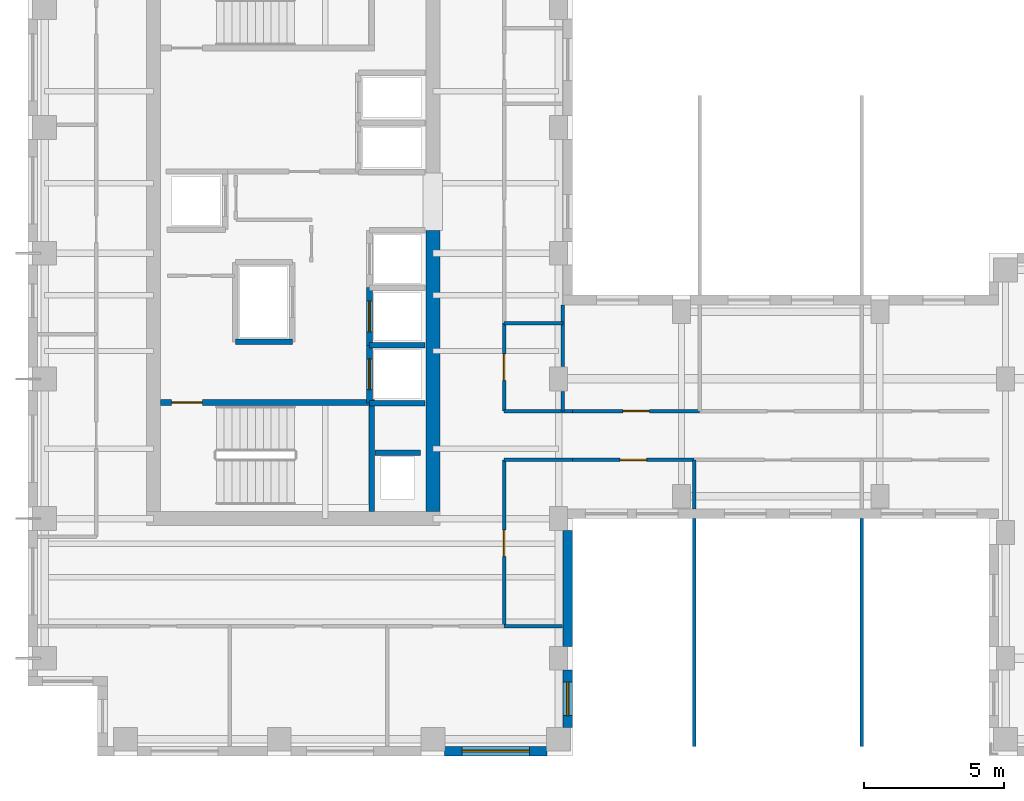
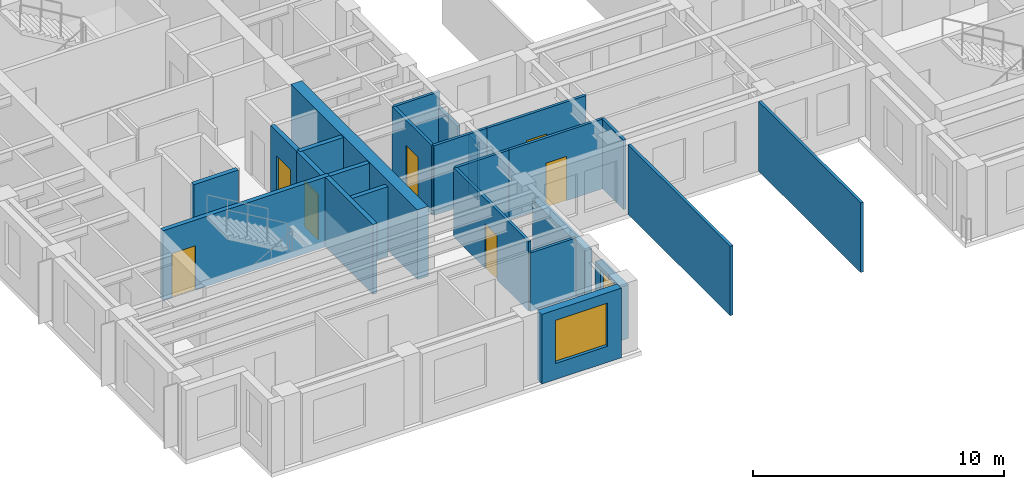
# One storey, part 3 of 10: 25 walls, 7 doors, 2 windows, 9 openings.
"""IFC4 building model written with IfcOpenShell, lengths in metres."""

from ifc_helpers import new_model, si_unit, direction, frame, frame_2d, origin, place, context, subcontext, project, spatial, rectangle, extrude, source, transform, mapped, material, layer, layer_set, type_object, element, fill, save


model = new_model("IFC4")

# Units and contexts
model_context = context("Model", 3, precision=1e-05, world=origin(), true_north=direction((0.0, 1.0)))
body_context = subcontext(model_context, "Body", "Model", "MODEL_VIEW")
ifc_project = project(units=[si_unit("LENGTHUNIT", "METRE"), si_unit("AREAUNIT", "SQUARE_METRE"), si_unit("VOLUMEUNIT", "CUBIC_METRE"), si_unit("PLANEANGLEUNIT", "RADIAN"), si_unit("MASSUNIT", "GRAM", prefix="KILO")], contexts=[model_context])

# Site, building, storey
site_placement = place(None, origin())
site = spatial("IfcSite", under=ifc_project, at=site_placement, CompositionType="ELEMENT")
building_placement = place(site_placement, origin())
building = spatial("IfcBuilding", under=site, at=building_placement, Name="Kharzan Plaza Tower", CompositionType="ELEMENT")
storey_placement = place(building_placement, frame((0.0, 0.0, 230.39990234375)))
storey = spatial("IfcBuildingStorey", under=building, at=storey_placement, Name="L62", CompositionType="ELEMENT", Elevation=230.39990234375)

# Wall, opening, window
ifc_material_1 = material(Name="Concrete C40/50", Category="concrete")
ifc_layer_1 = layer(ifc_material_1, 0.35009765625)
ifc_layer_set_1 = layer_set([ifc_layer_1], Name="Concrete C40/50")
wall_type_1 = type_object("IfcWallType", Name="WL-EXT-MAS-Z4", PredefinedType="SOLIDWALL", material=ifc_layer_set_1)
wall_1_placement = place(storey_placement, frame((14.923095703125, 0.175048828125, 0.0), z_axis=(0.0, 0.0, 1.0), x_axis=(1.0, 0.0, 0.0)))
wall_1 = element("IfcWall", 1, at=wall_1_placement, inside=storey, type_object=wall_type_1, Name="L62 Masonry-Frame Exterior Wall 29", PredefinedType="SOLIDWALL", context=body_context, shape_type="SweptSolid", body=[
    extrude(rectangle(XDim=3.65380859375, YDim=0.35009765625, at=frame_2d((1.826904296875, 0.0))), origin(), (0.0, 0.0, 1.0), 3.385009765625),
])
opening_1_placement = place(wall_1_placement, frame((0.626953125, 0.0, 0.780029296875)))
opening_1 = element("IfcOpeningElement", 2, at=opening_1_placement, cuts=wall_1, Name="Opening W2", PredefinedType="OPENING", context=body_context, shape_type="SweptSolid", body=[
    extrude(rectangle(XDim=2.39990234375, YDim=2.10009765625, at=frame_2d((1.199951171875, 1.050048828125))), frame((0.0, 0.18505859375, 0.0), z_axis=(0.0, -1.0, 0.0), x_axis=(1.0, 0.0, 0.0)), (0.0, 0.0, 1.0), 0.3701171875),
])
ifc_material_2 = material(Name="Low-E Double Glazing", Category="glass")
window_type_1 = type_object("IfcWindowType", Name="WN-REC-2400x2100", PartitioningType="SINGLE_PANEL", PredefinedType="WINDOW", material=ifc_material_2)
shared_shape_1 = source(origin(), body_context, "Body", "SweptSolid", [
    extrude(rectangle(XDim=2.39990234375, YDim=2.10009765625, at=frame_2d((1.199951171875, 1.050048828125))), frame((0.0, 0.030029296875, 0.0), z_axis=(0.0, -1.0, 0.0), x_axis=(1.0, 0.0, 0.0)), (0.0, 0.0, 1.0), 0.06005859375),
])
window_1_placement = place(opening_1_placement, origin())
window_1 = element("IfcWindow", 3, at=window_1_placement, inside=storey, type_object=window_type_1, Name="L62 Wide Recessed Solar-Control Window 29-1", OverallHeight=2.10009765625, OverallWidth=2.39990234375, PartitioningType="SINGLE_PANEL", PredefinedType="WINDOW", context=body_context, shape_type="MappedRepresentation", body=[
    mapped(shared_shape_1, transform((0.0, 0.0, 0.0), x_axis=(1.0, 0.0, 0.0), y_axis=(0.0, 1.0, 0.0), z_axis=(0.0, 0.0, 1.0))),
])
fill(opening_1, window_1)

wall_2_placement = place(storey_placement, frame((19.324951171875, 1.02294921875, 0.0), z_axis=(0.0, 0.0, 1.0), x_axis=(0.0, 1.0, 0.0)))
wall_2 = element("IfcWall", 4, at=wall_2_placement, inside=storey, type_object=wall_type_1, Name="L62 Masonry-Frame Exterior Wall 30", PredefinedType="SOLIDWALL", context=body_context, shape_type="SweptSolid", body=[
    extrude(rectangle(XDim=2.053955078125, YDim=0.35009765625, at=frame_2d((1.02685546875, 0.0))), origin(), (0.0, 0.0, 1.0), 2.619140625),
])
opening_2_placement = place(wall_2_placement, frame((0.427001953125, 0.0, 0.780029296875)))
opening_2 = element("IfcOpeningElement", 5, at=opening_2_placement, cuts=wall_2, Name="Opening W3", PredefinedType="OPENING", context=body_context, shape_type="SweptSolid", body=[
    extrude(rectangle(XDim=1.199951171875, YDim=1.658935546875, at=frame_2d((0.60009765625, 0.82958984375))), frame((0.0, 0.18505859375, 0.0), z_axis=(0.0, -1.0, 0.0), x_axis=(1.0, 0.0, 0.0)), (0.0, 0.0, 1.0), 0.3701171875),
])
window_type_2 = type_object("IfcWindowType", Name="WN-REC-1200x2100", PartitioningType="SINGLE_PANEL", PredefinedType="WINDOW", material=ifc_material_2)
shared_shape_2 = source(origin(), body_context, "Body", "SweptSolid", [
    extrude(rectangle(XDim=1.199951171875, YDim=1.658935546875, at=frame_2d((0.60009765625, 0.82958984375))), frame((0.0, 0.030029296875, 0.0), z_axis=(0.0, -1.0, 0.0), x_axis=(1.0, 0.0, 0.0)), (0.0, 0.0, 1.0), 0.06005859375),
])
window_2_placement = place(opening_2_placement, origin())
window_2 = element("IfcWindow", 6, at=window_2_placement, inside=storey, type_object=window_type_2, Name="L62 Recessed Solar-Control Window 30-1", OverallHeight=1.658935546875, OverallWidth=1.199951171875, PartitioningType="SINGLE_PANEL", PredefinedType="WINDOW", context=body_context, shape_type="MappedRepresentation", body=[
    mapped(shared_shape_2, transform((0.0, 0.0, 0.0), x_axis=(1.0, 0.0, 0.0), y_axis=(0.0, 1.0, 0.0), z_axis=(0.0, 0.0, 1.0))),
])
fill(opening_2, window_2)

# Wall, opening, door
ifc_material_3 = material(Name="Fire-Rated Gypsum Board Partition", Category="gypsum")
ifc_layer_2 = layer(ifc_material_3, 0.125)
ifc_layer_set_2 = layer_set([ifc_layer_2], Name="Fire-Rated Gypsum Board Partition")
wall_type_2 = type_object("IfcWallType", Name="WL-INT-PART-125", PredefinedType="PARTITIONING", material=ifc_layer_set_2)
wall_3_placement = place(storey_placement, frame((17.050048828125, 12.35009765625, 0.0), z_axis=(0.0, 0.0, 1.0), x_axis=(0.0, 1.0, 0.0)))
wall_3 = element("IfcWall", 7, at=wall_3_placement, inside=storey, type_object=wall_type_2, Name="L62 Interior Partition SH-AEWN1", PredefinedType="PARTITIONING", context=body_context, shape_type="SweptSolid", body=[
    extrude(rectangle(XDim=3.14990234375, YDim=0.125, at=frame_2d((1.574951171875, 0.0))), origin(), (0.0, 0.0, 1.0), 3.385009765625),
])
opening_3_placement = place(wall_3_placement, frame((1.10009765625, 0.0, 0.0)))
opening_3 = element("IfcOpeningElement", 8, at=opening_3_placement, cuts=wall_3, Name="Opening OD1", PredefinedType="OPENING", context=body_context, shape_type="SweptSolid", body=[
    extrude(rectangle(XDim=0.949951171875, YDim=2.14990234375, at=frame_2d((0.47509765625, 1.074951171875))), frame((0.0, 0.072509765625, 0.0), z_axis=(0.0, -1.0, 0.0), x_axis=(1.0, 0.0, 0.0)), (0.0, 0.0, 1.0), 0.14501953125),
])
ifc_material_4 = material(Name="Acoustic Solid-Core Stained Oak", Category="timber")
door_type_1 = type_object("IfcDoorType", Name="DR-OFF-SINGLE", OperationType="NOTDEFINED", PredefinedType="DOOR", material=ifc_material_4)
shared_shape_3 = source(origin(), body_context, "Body", "SweptSolid", [
    extrude(rectangle(XDim=0.949951171875, YDim=2.14990234375, at=frame_2d((0.47509765625, 1.074951171875))), frame((0.0, 0.02490234375, 0.0), z_axis=(0.0, -1.0, 0.0), x_axis=(1.0, 0.0, 0.0)), (0.0, 0.0, 1.0), 0.050048828125),
])
door_1_placement = place(opening_3_placement, origin())
door_1 = element("IfcDoor", 9, at=door_1_placement, inside=storey, type_object=door_type_1, Name="L62 Slot Collaboration Door", OperationType="SINGLE_SWING_LEFT", OverallHeight=2.14990234375, OverallWidth=0.949951171875, PredefinedType="DOOR", context=body_context, shape_type="MappedRepresentation", body=[
    mapped(shared_shape_3, transform((0.0, 0.0, 0.0), x_axis=(1.0, 0.0, 0.0), y_axis=(0.0, 1.0, 0.0), z_axis=(0.0, 0.0, 1.0))),
])
fill(opening_3, door_1)

wall_4_placement = place(storey_placement, frame((17.050048828125, 4.64990234375, 0.0), z_axis=(0.0, 0.0, 1.0), x_axis=(0.0, 1.0, 0.0)))
wall_4 = element("IfcWall", 10, at=wall_4_placement, inside=storey, type_object=wall_type_2, Name="L62 Interior Partition SH-AEWS", PredefinedType="PARTITIONING", context=body_context, shape_type="SweptSolid", body=[
    extrude(rectangle(XDim=5.9501953125, YDim=0.125, at=frame_2d((2.97509765625, 0.0))), origin(), (0.0, 0.0, 1.0), 3.385009765625),
])
opening_4_placement = place(wall_4_placement, frame((2.5, 0.0, 0.0)))
opening_4 = element("IfcOpeningElement", 11, at=opening_4_placement, cuts=wall_4, Name="Opening OD1", PredefinedType="OPENING", context=body_context, shape_type="SweptSolid", body=[
    extrude(rectangle(XDim=0.949951171875, YDim=2.14990234375, at=frame_2d((0.47509765625, 1.074951171875))), frame((0.0, 0.072509765625, 0.0), z_axis=(0.0, -1.0, 0.0), x_axis=(1.0, 0.0, 0.0)), (0.0, 0.0, 1.0), 0.14501953125),
])
door_2_placement = place(opening_4_placement, origin())
door_2 = element("IfcDoor", 12, at=door_2_placement, inside=storey, type_object=door_type_1, Name="L62 Slot South Office Door", OperationType="SINGLE_SWING_RIGHT", OverallHeight=2.14990234375, OverallWidth=0.949951171875, PredefinedType="DOOR", context=body_context, shape_type="MappedRepresentation", body=[
    mapped(shared_shape_3, transform((0.0, 0.0, 0.0), x_axis=(1.0, 0.0, 0.0), y_axis=(0.0, 1.0, 0.0), z_axis=(0.0, 0.0, 1.0))),
])
fill(opening_4, door_2)

wall_5_placement = place(storey_placement, frame((19.5, 12.35009765625, 0.0), z_axis=(0.0, 0.0, 1.0), x_axis=(1.0, 0.0, 0.0)))
wall_5 = element("IfcWall", 13, at=wall_5_placement, inside=storey, type_object=wall_type_2, Name="L62 Interior Partition SH-SPNW1", PredefinedType="PARTITIONING", context=body_context, shape_type="SweptSolid", body=[
    extrude(rectangle(XDim=4.550048828125, YDim=0.125, at=frame_2d((2.27490234375, 0.0))), origin(), (0.0, 0.0, 1.0), 3.385009765625),
])
opening_5_placement = place(wall_5_placement, frame((1.800048828125, 0.0, 0.0)))
opening_5 = element("IfcOpeningElement", 14, at=opening_5_placement, cuts=wall_5, Name="Opening OD1", PredefinedType="OPENING", context=body_context, shape_type="SweptSolid", body=[
    extrude(rectangle(XDim=0.949951171875, YDim=2.14990234375, at=frame_2d((0.47509765625, 1.074951171875))), frame((0.0, 0.072509765625, 0.0), z_axis=(0.0, -1.0, 0.0), x_axis=(1.0, 0.0, 0.0)), (0.0, 0.0, 1.0), 0.14501953125),
])
door_3_placement = place(opening_5_placement, origin())
door_3 = element("IfcDoor", 15, at=door_3_placement, inside=storey, type_object=door_type_1, Name="L62 North-West Spine Door", OperationType="SINGLE_SWING_RIGHT", OverallHeight=2.14990234375, OverallWidth=0.949951171875, PredefinedType="DOOR", context=body_context, shape_type="MappedRepresentation", body=[
    mapped(shared_shape_3, transform((0.0, 0.0, 0.0), x_axis=(1.0, 0.0, 0.0), y_axis=(0.0, 1.0, 0.0), z_axis=(0.0, 0.0, 1.0))),
])
fill(opening_5, door_3)

wall_6_placement = place(storey_placement, frame((19.5, 10.60009765625, 0.0), z_axis=(0.0, 0.0, 1.0), x_axis=(1.0, 0.0, 0.0)))
wall_6 = element("IfcWall", 16, at=wall_6_placement, inside=storey, type_object=wall_type_2, Name="L62 Interior Partition SH-SPS1", PredefinedType="PARTITIONING", context=body_context, shape_type="SweptSolid", body=[
    extrude(rectangle(XDim=4.35009765625, YDim=0.125, at=frame_2d((2.175048828125, 0.0))), origin(), (0.0, 0.0, 1.0), 3.385009765625),
])
opening_6_placement = place(wall_6_placement, frame((1.699951171875, 0.0, 0.0)))
opening_6 = element("IfcOpeningElement", 17, at=opening_6_placement, cuts=wall_6, Name="Opening OD1", PredefinedType="OPENING", context=body_context, shape_type="SweptSolid", body=[
    extrude(rectangle(XDim=0.949951171875, YDim=2.14990234375, at=frame_2d((0.47509765625, 1.074951171875))), frame((0.0, 0.072509765625, 0.0), z_axis=(0.0, -1.0, 0.0), x_axis=(1.0, 0.0, 0.0)), (0.0, 0.0, 1.0), 0.14501953125),
])
door_4_placement = place(opening_6_placement, origin())
door_4 = element("IfcDoor", 18, at=door_4_placement, inside=storey, type_object=door_type_1, Name="L62 Spine Studio 1 Door", OperationType="SINGLE_SWING_LEFT", OverallHeight=2.14990234375, OverallWidth=0.949951171875, PredefinedType="DOOR", context=body_context, shape_type="MappedRepresentation", body=[
    mapped(shared_shape_3, transform((0.0, 0.0, 0.0), x_axis=(1.0, 0.0, 0.0), y_axis=(0.0, 1.0, 0.0), z_axis=(0.0, 0.0, 1.0))),
])
fill(opening_6, door_4)

ifc_layer_3 = layer(ifc_material_1, 0.199951171875)
ifc_layer_set_3 = layer_set([ifc_layer_3], Name="Concrete C40/50")
wall_type_3 = type_object("IfcWallType", Name="WL-INT-SHAFT-200", PredefinedType="PARTITIONING", material=ifc_layer_set_3)
wall_7_placement = place(storey_placement, frame((12.22998046875, 12.6298828125, 0.0), z_axis=(0.0, 0.0, 1.0), x_axis=(0.0, 1.0, 0.0)))
wall_7 = element("IfcWall", 19, at=wall_7_placement, inside=storey, type_object=wall_type_3, Name="L62 Interior Partition SHF-PL-H1-W", PredefinedType="PARTITIONING", context=body_context, shape_type="SweptSolid", body=[
    extrude(rectangle(XDim=2.070068359375, YDim=0.199951171875, at=frame_2d((1.03515625, 0.0))), origin(), (0.0, 0.0, 1.0), 3.385009765625),
])
opening_7_placement = place(wall_7_placement, frame((0.485107421875, 0.0, 0.0)))
opening_7 = element("IfcOpeningElement", 20, at=opening_7_placement, cuts=wall_7, Name="Opening LD", PredefinedType="OPENING", context=body_context, shape_type="SweptSolid", body=[
    extrude(rectangle(XDim=1.10009765625, YDim=2.199951171875, at=frame_2d((0.550048828125, 1.10009765625))), frame((0.0, 0.10986328125, 0.0), z_axis=(0.0, -1.0, 0.0), x_axis=(1.0, 0.0, 0.0)), (0.0, 0.0, 1.0), 0.219970703125),
])
ifc_material_5 = material(Name="Brushed Stainless Steel", Category="steel")
door_type_2 = type_object("IfcDoorType", Name="DR-LIFT-SLIDE", OperationType="SLIDING_TO_LEFT", PredefinedType="DOOR", material=ifc_material_5)
shared_shape_4 = source(origin(), body_context, "Body", "SweptSolid", [
    extrude(rectangle(XDim=1.10009765625, YDim=2.199951171875, at=frame_2d((0.550048828125, 1.10009765625))), frame((0.0, 0.02490234375, 0.0), z_axis=(0.0, -1.0, 0.0), x_axis=(1.0, 0.0, 0.0)), (0.0, 0.0, 1.0), 0.050048828125),
])
door_5_placement = place(opening_7_placement, origin())
door_5 = element("IfcDoor", 21, at=door_5_placement, inside=storey, type_object=door_type_2, Name="L62 High-Rise Passenger Lift PL-H1 Sliding Landing Door", OperationType="SLIDING_TO_LEFT", OverallHeight=2.199951171875, OverallWidth=1.10009765625, PredefinedType="DOOR", context=body_context, shape_type="MappedRepresentation", body=[
    mapped(shared_shape_4, transform((0.0, 0.0, 0.0), x_axis=(1.0, 0.0, 0.0), y_axis=(0.0, 1.0, 0.0), z_axis=(0.0, 0.0, 1.0))),
])
fill(opening_7, door_5)

wall_8_placement = place(storey_placement, frame((12.22998046875, 14.699951171875, 0.0), z_axis=(0.0, 0.0, 1.0), x_axis=(0.0, 1.0, 0.0)))
wall_8 = element("IfcWall", 22, at=wall_8_placement, inside=storey, type_object=wall_type_3, Name="L62 Interior Partition SHF-PL-H2-W", PredefinedType="PARTITIONING", context=body_context, shape_type="SweptSolid", body=[
    extrude(rectangle(XDim=2.070068359375, YDim=0.199951171875, at=frame_2d((1.03515625, 0.0))), origin(), (0.0, 0.0, 1.0), 3.385009765625),
])
opening_8_placement = place(wall_8_placement, frame((0.485107421875, 0.0, 0.0)))
opening_8 = element("IfcOpeningElement", 23, at=opening_8_placement, cuts=wall_8, Name="Opening LD", PredefinedType="OPENING", context=body_context, shape_type="SweptSolid", body=[
    extrude(rectangle(XDim=1.10009765625, YDim=2.199951171875, at=frame_2d((0.550048828125, 1.10009765625))), frame((0.0, 0.10986328125, 0.0), z_axis=(0.0, -1.0, 0.0), x_axis=(1.0, 0.0, 0.0)), (0.0, 0.0, 1.0), 0.219970703125),
])
door_6_placement = place(opening_8_placement, origin())
door_6 = element("IfcDoor", 24, at=door_6_placement, inside=storey, type_object=door_type_2, Name="L62 High-Rise Passenger Lift PL-H2 Sliding Landing Door", OperationType="SLIDING_TO_LEFT", OverallHeight=2.199951171875, OverallWidth=1.10009765625, PredefinedType="DOOR", context=body_context, shape_type="MappedRepresentation", body=[
    mapped(shared_shape_4, transform((0.0, 0.0, 0.0), x_axis=(1.0, 0.0, 0.0), y_axis=(0.0, 1.0, 0.0), z_axis=(0.0, 0.0, 1.0))),
])
fill(opening_8, door_6)

ifc_material_6 = material(Name="Concrete C50/60", Category="concrete")
ifc_layer_4 = layer(ifc_material_6, 0.199951171875)
ifc_layer_set_4 = layer_set([ifc_layer_4], Name="Concrete C50/60")
wall_type_4 = type_object("IfcWallType", Name="WL-SHAFT-RC200", PredefinedType="SHEAR", material=ifc_layer_set_4)
wall_9_placement = place(storey_placement, frame((4.751953125, 12.655029296875, 0.0), z_axis=(0.0, 0.0, 1.0), x_axis=(1.0, 0.0, 0.0)))
wall_9 = element("IfcWall", 25, at=wall_9_placement, inside=storey, type_object=wall_type_4, Name="L62 Stair ST-1 North RC Shaft Wall", PredefinedType="SHEAR", context=body_context, shape_type="SweptSolid", body=[
    extrude(rectangle(XDim=7.653076171875, YDim=0.199951171875, at=frame_2d((3.82666015625, 0.0))), origin(), (0.0, 0.0, 1.0), 3.400146484375),
])
opening_9_placement = place(wall_9_placement, frame((0.39990234375, 0.0, 0.0)))
opening_9 = element("IfcOpeningElement", 26, at=opening_9_placement, cuts=wall_9, Name="Opening SD1", PredefinedType="OPENING", context=body_context, shape_type="SweptSolid", body=[
    extrude(rectangle(XDim=1.10009765625, YDim=2.14990234375, at=frame_2d((0.550048828125, 1.074951171875))), frame((0.0, 0.10986328125, 0.0), z_axis=(0.0, -1.0, 0.0), x_axis=(1.0, 0.0, 0.0)), (0.0, 0.0, 1.0), 0.219970703125),
])
ifc_material_7 = material(Name="Fire-Rated Hollow Galvanized Steel", Category="steel")
door_type_3 = type_object("IfcDoorType", Name="DR-STAIR-FD120", OperationType="NOTDEFINED", PredefinedType="DOOR", material=ifc_material_7)
shared_shape_5 = source(origin(), body_context, "Body", "SweptSolid", [
    extrude(rectangle(XDim=1.10009765625, YDim=2.14990234375, at=frame_2d((0.550048828125, 1.074951171875))), frame((0.0, 0.02490234375, 0.0), z_axis=(0.0, -1.0, 0.0), x_axis=(1.0, 0.0, 0.0)), (0.0, 0.0, 1.0), 0.050048828125),
])
door_7_placement = place(opening_9_placement, origin())
door_7 = element("IfcDoor", 27, at=door_7_placement, inside=storey, type_object=door_type_3, Name="L62 Stair ST-1 Fire Exit Door", OperationType="SINGLE_SWING_RIGHT", OverallHeight=2.14990234375, OverallWidth=1.10009765625, PredefinedType="DOOR", context=body_context, shape_type="MappedRepresentation", body=[
    mapped(shared_shape_5, transform((0.0, 0.0, 0.0), x_axis=(1.0, 0.0, 0.0), y_axis=(0.0, 1.0, 0.0), z_axis=(0.0, 0.0, 1.0))),
])
fill(opening_9, door_7)

# Walls
shared_shape_6 = source(origin(), body_context, "Body", "SweptSolid", [
    extrude(rectangle(XDim=2.099853515625, YDim=0.125, at=frame_2d((1.0498046875, 0.0))), origin(), (0.0, 0.0, 1.0), 3.385009765625),
])
wall_10_placement = place(storey_placement, frame((17.050048828125, 15.5, 0.0), z_axis=(0.0, 0.0, 1.0), x_axis=(1.0, 0.0, 0.0)))
element("IfcWall", 28, at=wall_10_placement, inside=storey, type_object=wall_type_2, Name="L62 Interior Partition SH-AEH-155", PredefinedType="PARTITIONING", context=body_context, shape_type="MappedRepresentation", body=[
    mapped(shared_shape_6, transform((0.0, 0.0, 0.0), x_axis=(1.0, 0.0, 0.0), y_axis=(0.0, 1.0, 0.0), z_axis=(0.0, 0.0, 1.0))),
])
shared_shape_7 = source(origin(), body_context, "Body", "SweptSolid", [
    extrude(rectangle(XDim=2.449951171875, YDim=0.125, at=frame_2d((1.22509765625, 0.0))), origin(), (0.0, 0.0, 1.0), 3.385009765625),
])
for number, where, z_axis, x_axis, name in (
    (29, (17.050048828125, 12.35009765625, 0.0), (0.0, 0.0, 1.0), (1.0, 0.0, 0.0), "L62 Interior Partition SH-SPNW0"),
    (30, (17.050048828125, 10.60009765625, 0.0), (0.0, 0.0, 1.0), (1.0, 0.0, 0.0), "L62 Interior Partition SH-SPS0"),
):
    element("IfcWall", number, at=place(storey_placement, frame(where, z_axis=z_axis, x_axis=x_axis)), inside=storey, type_object=wall_type_2, Name=name, PredefinedType="PARTITIONING", context=body_context, shape_type="MappedRepresentation", body=[
        mapped(shared_shape_7, transform((0.0, 0.0, 0.0), x_axis=(1.0, 0.0, 0.0), y_axis=(0.0, 1.0, 0.0), z_axis=(0.0, 0.0, 1.0))),
    ])
shared_shape_8 = source(origin(), body_context, "Body", "SweptSolid", [
    extrude(rectangle(XDim=1.630126953125, YDim=0.199951171875, at=frame_2d((0.81494140625, 0.0))), origin(), (0.0, 0.0, 1.0), 3.385009765625),
])
wall_11_placement = place(storey_placement, frame((12.419921875, 10.85009765625, 0.0), z_axis=(0.0, 0.0, 1.0), x_axis=(1.0, 0.0, 0.0)))
element("IfcWall", 31, at=wall_11_placement, inside=storey, type_object=wall_type_3, Name="L62 Interior Partition CA-RSRA-N", PredefinedType="PARTITIONING", context=body_context, shape_type="MappedRepresentation", body=[
    mapped(shared_shape_8, transform((0.0, 0.0, 0.0), x_axis=(1.0, 0.0, 0.0), y_axis=(0.0, 1.0, 0.0), z_axis=(0.0, 0.0, 1.0))),
])
shared_shape_9 = source(origin(), body_context, "Body", "SweptSolid", [
    extrude(rectangle(XDim=2.0400390625, YDim=0.199951171875, at=frame_2d((1.02001953125, 0.0))), origin(), (0.0, 0.0, 1.0), 3.385009765625),
])
wall_12_placement = place(storey_placement, frame((7.429931640625, 14.830078125, 0.0), z_axis=(0.0, 0.0, 1.0), x_axis=(1.0, 0.0, 0.0)))
element("IfcWall", 32, at=wall_12_placement, inside=storey, type_object=wall_type_3, Name="L62 Interior Partition SHF-SVL-1-S", PredefinedType="PARTITIONING", context=body_context, shape_type="MappedRepresentation", body=[
    mapped(shared_shape_9, transform((0.0, 0.0, 0.0), x_axis=(1.0, 0.0, 0.0), y_axis=(0.0, 1.0, 0.0), z_axis=(0.0, 0.0, 1.0))),
])
shared_shape_10 = source(origin(), body_context, "Body", "SweptSolid", [
    extrude(rectangle(XDim=2.097900390625, YDim=0.125, at=frame_2d((1.048828125, 0.0))), origin(), (0.0, 0.0, 1.0), 2.84814453125),
])
wall_13_placement = place(storey_placement, frame((17.050048828125, 4.64990234375, 0.0), z_axis=(0.0, 0.0, 1.0), x_axis=(1.0, 0.0, 0.0)))
element("IfcWall", 33, at=wall_13_placement, inside=storey, type_object=wall_type_2, Name="L62 Interior Partition SH-SSE-3", PredefinedType="PARTITIONING", context=body_context, shape_type="MappedRepresentation", body=[
    mapped(shared_shape_10, transform((0.0, 0.0, 0.0), x_axis=(1.0, 0.0, 0.0), y_axis=(0.0, 1.0, 0.0), z_axis=(0.0, 0.0, 1.0))),
])
shared_shape_11 = source(origin(), body_context, "Body", "SweptSolid", [
    extrude(rectangle(XDim=8.14794921875, YDim=0.125, at=frame_2d((4.073974609375, 0.0))), origin(), (0.0, 0.0, 1.0), 3.385009765625),
])
for number, where, z_axis, x_axis, name in (
    (34, (23.85009765625, 0.35009765625, 0.0), (0.0, 0.0, 1.0), (0.0, 1.0, 0.0), "L62 Interior Partition SH-SPSV1-S1"),
    (35, (29.85009765625, 0.35009765625, 0.0), (0.0, 0.0, 1.0), (0.0, 1.0, 0.0), "L62 Interior Partition SH-SPSV2-S1"),
):
    element("IfcWall", number, at=place(storey_placement, frame(where, z_axis=z_axis, x_axis=x_axis)), inside=storey, type_object=wall_type_2, Name=name, PredefinedType="PARTITIONING", context=body_context, shape_type="MappedRepresentation", body=[
        mapped(shared_shape_11, transform((0.0, 0.0, 0.0), x_axis=(1.0, 0.0, 0.0), y_axis=(0.0, 1.0, 0.0), z_axis=(0.0, 0.0, 1.0))),
    ])
shared_shape_12 = source(origin(), body_context, "Body", "SweptSolid", [
    extrude(rectangle(XDim=1.748046875, YDim=0.125, at=frame_2d((0.8740234375, 0.0))), origin(), (0.0, 0.0, 1.0), 3.385009765625),
])
wall_14_placement = place(storey_placement, frame((23.85009765625, 8.85205078125, 0.0), z_axis=(0.0, 0.0, 1.0), x_axis=(0.0, 1.0, 0.0)))
element("IfcWall", 36, at=wall_14_placement, inside=storey, type_object=wall_type_2, Name="L62 Interior Partition SH-SPSV1-S2", PredefinedType="PARTITIONING", context=body_context, shape_type="MappedRepresentation", body=[
    mapped(shared_shape_12, transform((0.0, 0.0, 0.0), x_axis=(1.0, 0.0, 0.0), y_axis=(0.0, 1.0, 0.0), z_axis=(0.0, 0.0, 1.0))),
])
ifc_layer_5 = layer(ifc_material_6, 0.5)
ifc_layer_set_5 = layer_set([ifc_layer_5], Name="Concrete C50/60")
wall_type_5 = type_object("IfcWallType", Name="WL-CORE-500", PredefinedType="SHEAR", material=ifc_layer_set_5)
shared_shape_13 = source(origin(), body_context, "Body", "SweptSolid", [
    extrude(rectangle(XDim=10.070068359375, YDim=0.5, at=frame_2d((5.03515625, 0.0))), origin(), (0.0, 0.0, 1.0), 3.400146484375),
])
wall_15_placement = place(storey_placement, frame((14.5, 8.75, 0.0), z_axis=(0.0, 0.0, 1.0), x_axis=(0.0, 1.0, 0.0)))
element("IfcWall", 37, at=wall_15_placement, inside=storey, type_object=wall_type_5, Name="L62 CORE-A east shear pier 1", PredefinedType="SHEAR", context=body_context, shape_type="MappedRepresentation", body=[
    mapped(shared_shape_13, transform((0.0, 0.0, 0.0), x_axis=(1.0, 0.0, 0.0), y_axis=(0.0, 1.0, 0.0), z_axis=(0.0, 0.0, 1.0))),
])
shared_shape_14 = source(origin(), body_context, "Body", "SweptSolid", [
    extrude(rectangle(XDim=0.699951171875, YDim=0.125, at=frame_2d((0.35009765625, 0.0))), origin(), (0.0, 0.0, 1.0), 2.773193359375),
])
wall_16_placement = place(storey_placement, frame((19.14990234375, 12.35009765625, 0.0), z_axis=(0.0, 0.0, 1.0), x_axis=(0.0, 1.0, 0.0)))
element("IfcWall", 38, at=wall_16_placement, inside=storey, type_object=wall_type_2, Name="L62 Interior Partition SH-AEN-DIV-S1", PredefinedType="PARTITIONING", context=body_context, shape_type="MappedRepresentation", body=[
    mapped(shared_shape_14, transform((0.0, 0.0, 0.0), x_axis=(1.0, 0.0, 0.0), y_axis=(0.0, 1.0, 0.0), z_axis=(0.0, 0.0, 1.0))),
])
shared_shape_15 = source(origin(), body_context, "Body", "SweptSolid", [
    extrude(rectangle(XDim=1.989990234375, YDim=0.199951171875, at=frame_2d((0.9951171875, 0.0))), origin(), (0.0, 0.0, 1.0), 3.385009765625),
])
for number, where, z_axis, x_axis, name in (
    (39, (12.22998046875, 14.699951171875, 0.0), (0.0, 0.0, 1.0), (1.0, 0.0, 0.0), "L62 Interior Partition SHF-PL-H1-N"),
    (40, (12.22998046875, 12.6298828125, 0.0), (0.0, 0.0, 1.0), (1.0, 0.0, 0.0), "L62 Interior Partition SHF-PL-H1-S"),
):
    element("IfcWall", number, at=place(storey_placement, frame(where, z_axis=z_axis, x_axis=x_axis)), inside=storey, type_object=wall_type_3, Name=name, PredefinedType="PARTITIONING", context=body_context, shape_type="MappedRepresentation", body=[
        mapped(shared_shape_15, transform((0.0, 0.0, 0.0), x_axis=(1.0, 0.0, 0.0), y_axis=(0.0, 1.0, 0.0), z_axis=(0.0, 0.0, 1.0))),
    ])
shared_shape_16 = source(origin(), body_context, "Body", "SweptSolid", [
    extrude(rectangle(XDim=3.802978515625, YDim=0.199951171875, at=frame_2d((1.9013671875, 0.0))), origin(), (0.0, 0.0, 1.0), 3.400146484375),
])
wall_17_placement = place(storey_placement, frame((12.304931640625, 8.751953125, 0.0), z_axis=(0.0, 0.0, 1.0), x_axis=(0.0, 1.0, 0.0)))
element("IfcWall", 41, at=wall_17_placement, inside=storey, type_object=wall_type_4, Name="L62 Stair ST-1 East RC Shaft Wall", PredefinedType="SHEAR", context=body_context, shape_type="MappedRepresentation", body=[
    mapped(shared_shape_16, transform((0.0, 0.0, 0.0), x_axis=(1.0, 0.0, 0.0), y_axis=(0.0, 1.0, 0.0), z_axis=(0.0, 0.0, 1.0))),
])
shared_shape_17 = source(origin(), body_context, "Body", "SweptSolid", [
    extrude(rectangle(XDim=4.15380859375, YDim=0.35009765625, at=frame_2d((2.076904296875, 0.0))), origin(), (0.0, 0.0, 1.0), 2.619140625),
])
wall_18_placement = place(storey_placement, frame((19.324951171875, 3.923095703125, 0.0), z_axis=(0.0, 0.0, 1.0), x_axis=(0.0, 1.0, 0.0)))
element("IfcWall", 42, at=wall_18_placement, inside=storey, type_object=wall_type_1, Name="L62 Masonry-Frame Exterior Wall 31", PredefinedType="SOLIDWALL", context=body_context, shape_type="MappedRepresentation", body=[
    mapped(shared_shape_17, transform((0.0, 0.0, 0.0), x_axis=(1.0, 0.0, 0.0), y_axis=(0.0, 1.0, 0.0), z_axis=(0.0, 0.0, 1.0))),
])
shared_shape_18 = source(origin(), body_context, "Body", "SweptSolid", [
    extrude(rectangle(XDim=2.197998046875, YDim=0.125, at=frame_2d((1.09912109375, 0.0))), origin(), (0.0, 0.0, 1.0), 2.619140625),
])
wall_19_placement = place(storey_placement, frame((19.14990234375, 13.949951171875, 0.0), z_axis=(0.0, 0.0, 1.0), x_axis=(0.0, 1.0, 0.0)))
element("IfcWall", 43, at=wall_19_placement, inside=storey, type_object=wall_type_2, Name="L62 Interior Partition SH-AEN-DIV-S2", PredefinedType="PARTITIONING", context=body_context, shape_type="MappedRepresentation", body=[
    mapped(shared_shape_18, transform((0.0, 0.0, 0.0), x_axis=(1.0, 0.0, 0.0), y_axis=(0.0, 1.0, 0.0), z_axis=(0.0, 0.0, 1.0))),
])

save(model, "model.ifc")
